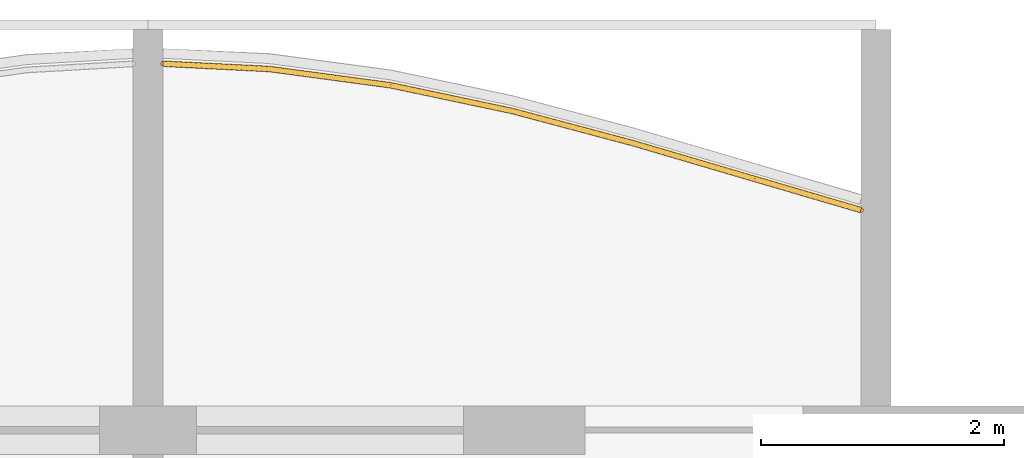
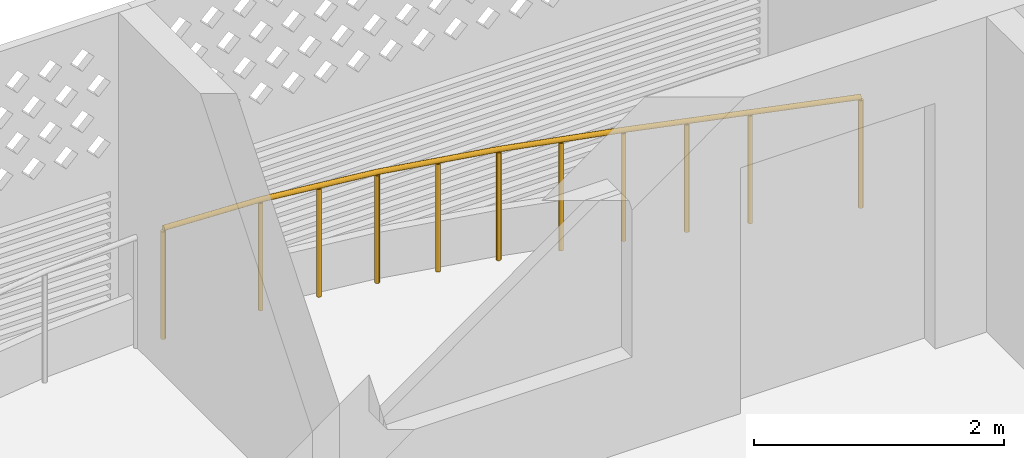
# One storey, part 27 of 28: 1 railing.
"""IFC4 building model written with IfcOpenShell, lengths in metres."""

from ifc_helpers import new_model, si_unit, direction, frame, origin, origin_2d, place, context, subcontext, project, spatial, circle, extrude, material, type_object, element, save


model = new_model("IFC4")

# Units and contexts
model_context = context("Model", 3, precision=1e-05, world=origin(), true_north=direction((0.0, 1.0)))
body_context = subcontext(model_context, "Body", "Model", "MODEL_VIEW")
ifc_project = project(units=[si_unit("LENGTHUNIT", "METRE"), si_unit("AREAUNIT", "SQUARE_METRE"), si_unit("VOLUMEUNIT", "CUBIC_METRE"), si_unit("PLANEANGLEUNIT", "RADIAN"), si_unit("MASSUNIT", "GRAM", prefix="KILO")], contexts=[model_context])

# Site, building, storey
site_placement = place(None, origin())
site = spatial("IfcSite", under=ifc_project, at=site_placement, CompositionType="ELEMENT")
building_placement = place(site_placement, origin())
building = spatial("IfcBuilding", under=site, at=building_placement, Name="Poui Terraces", CompositionType="ELEMENT")
storey_placement = place(building_placement, frame((0.0, 0.0, 185.10009765625)))
storey = spatial("IfcBuildingStorey", under=building, at=storey_placement, Name="L51", CompositionType="ELEMENT", Elevation=185.10009765625)

# Railing
ifc_material = material(Name="Painted steel fretwork", Category="steel")
railing_type = type_object("IfcRailingType", Name="BALCONY GUARD 1100", PredefinedType="GUARDRAIL", material=ifc_material)
railing_placement = place(storey_placement, frame((72.125, 44.2197265625, 0.0)))
element("IfcRailing", 1, at=railing_placement, inside=storey, type_object=railing_type, Name="BALCONY GUARD", PredefinedType="GUARDRAIL", context=body_context, shape_type="SweptSolid", body=[
    extrude(circle(Radius=0.02392578125, at=origin_2d()), frame((0.0, 0.0, 1.076171875), z_axis=(0.998768961938, -0.049604038846, 0.0), x_axis=(0.049604038846, 0.998768961938, 0.0)), (0.0, 0.0, 1.0), 0.8759765625),
    extrude(circle(Radius=0.02392578125, at=origin_2d()), frame((0.875, -0.04345703125, 1.076171875), z_axis=(0.991104904979, -0.133082934018, 0.0), x_axis=(0.133082934018, 0.991104904979, 0.0)), (0.0, 0.0, 1.0), 1.009033203125),
    extrude(circle(Radius=0.02392578125, at=origin_2d()), frame((1.875, -0.177734375, 1.076171875), z_axis=(0.978372019246, -0.206853068522, 0.0), x_axis=(0.206853068522, 0.978372019246, 0.0)), (0.0, 0.0, 1.0), 1.022216796875),
    extrude(circle(Radius=0.02392578125, at=origin_2d()), frame((2.875, -0.38916015625, 1.076171875), z_axis=(0.966309295868, -0.257383652781, 0.0), x_axis=(0.257383652781, 0.966309295868, 0.0)), (0.0, 0.0, 1.0), 1.034912109375),
    extrude(circle(Radius=0.02392578125, at=origin_2d()), frame((3.875, -0.655517578125, 1.076171875), z_axis=(0.959410247021, -0.282014144876, 0.0), x_axis=(0.282014144876, 0.959410247021, 0.0)), (0.0, 0.0, 1.0), 1.042236328125),
    extrude(circle(Radius=0.02392578125, at=origin_2d()), frame((4.875, -0.949462890625, 1.076171875), z_axis=(0.959663427085, -0.281151394654, 0.0), x_axis=(0.281151394654, 0.959663427085, 0.0)), (0.0, 0.0, 1.0), 0.911865234375),
    extrude(circle(Radius=0.02099609375, at=origin_2d()), origin(), (0.0, 0.0, 1.0), 1.052001953125),
    extrude(circle(Radius=0.02099609375, at=origin_2d()), frame((0.875, -0.04345703125, 0.0)), (0.0, 0.0, 1.0), 1.052001953125),
    extrude(circle(Radius=0.02099609375, at=origin_2d()), frame((1.375, -0.110595703125, 0.0)), (0.0, 0.0, 1.0), 1.052001953125),
    extrude(circle(Radius=0.02099609375, at=origin_2d()), frame((1.875, -0.177734375, 0.0)), (0.0, 0.0, 1.0), 1.052001953125),
    extrude(circle(Radius=0.02099609375, at=origin_2d()), frame((2.375, -0.283447265625, 0.0)), (0.0, 0.0, 1.0), 1.052001953125),
    extrude(circle(Radius=0.02099609375, at=origin_2d()), frame((2.875, -0.38916015625, 0.0)), (0.0, 0.0, 1.0), 1.052001953125),
    extrude(circle(Radius=0.02099609375, at=origin_2d()), frame((3.375, -0.5224609375, 0.0)), (0.0, 0.0, 1.0), 1.052001953125),
    extrude(circle(Radius=0.02099609375, at=origin_2d()), frame((3.875, -0.655517578125, 0.0)), (0.0, 0.0, 1.0), 1.052001953125),
    extrude(circle(Radius=0.02099609375, at=origin_2d()), frame((4.375, -0.802490234375, 0.0)), (0.0, 0.0, 1.0), 1.052001953125),
    extrude(circle(Radius=0.02099609375, at=origin_2d()), frame((4.875, -0.949462890625, 0.0)), (0.0, 0.0, 1.0), 1.052001953125),
    extrude(circle(Radius=0.02099609375, at=origin_2d()), frame((5.75, -1.205810546875, 0.0)), (0.0, 0.0, 1.0), 1.052001953125),
])

save(model, "model.ifc")
